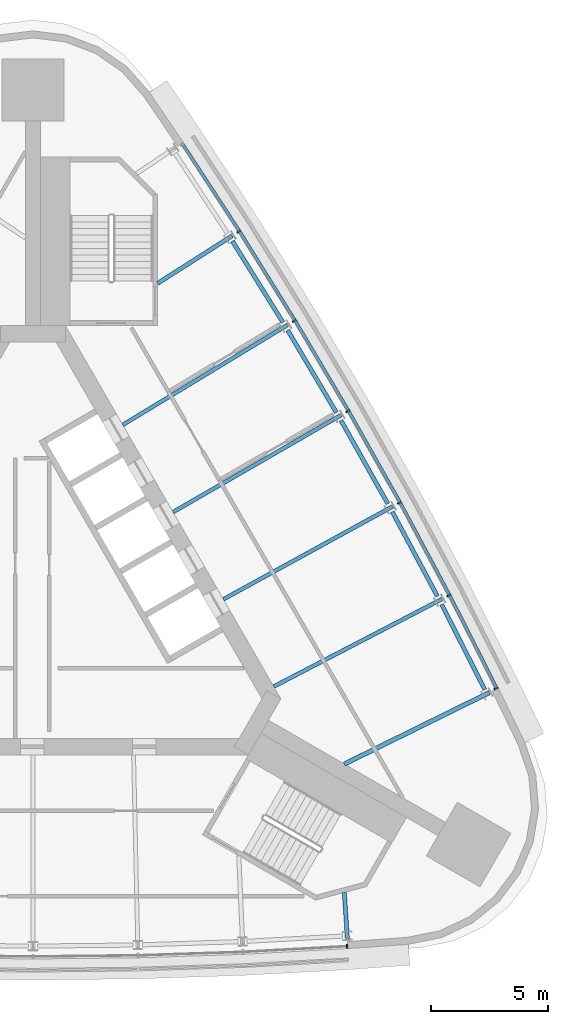
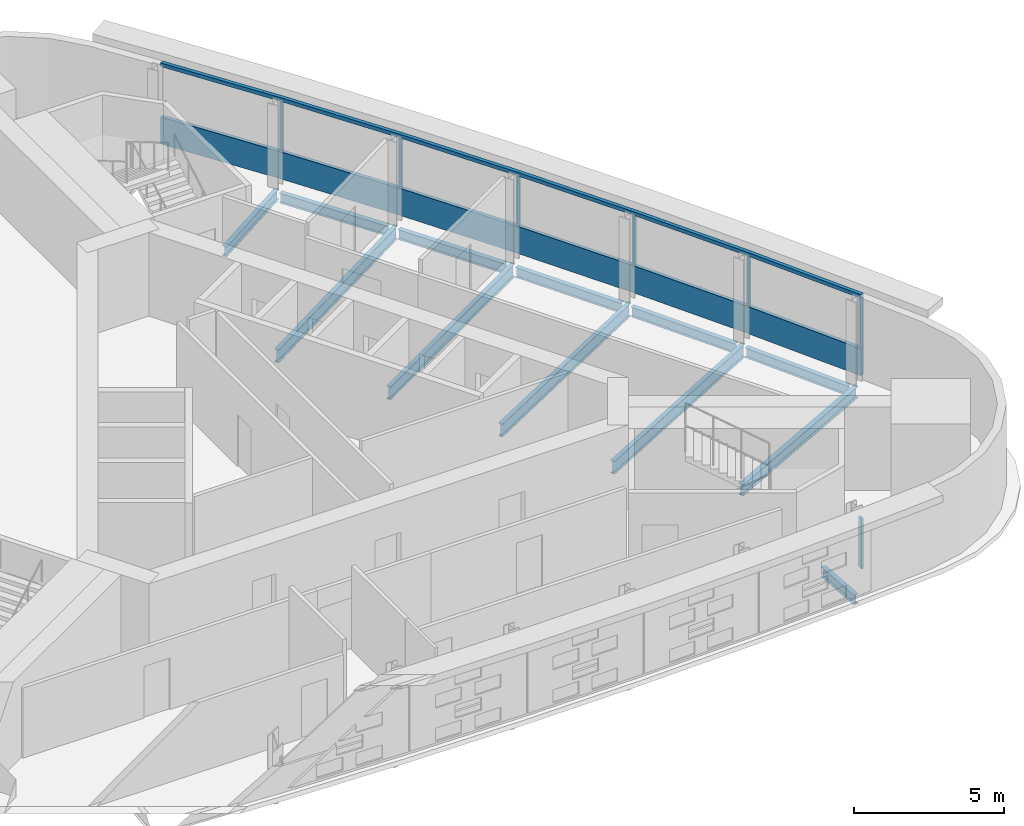
# One storey, part 4 of 11: 12 beams, 9 members, 2 elements without a shape of their own.
"""IFC4 building model written with IfcOpenShell, lengths in metres."""

from ifc_helpers import new_model, si_unit, direction, frame, origin, origin_2d, place, context, subcontext, project, spatial, polyline, rectangle, i_section, outline, extrude, material, material_profile, profile_set, type_object, element, aggregate, save


model = new_model("IFC4")

# Units and contexts
model_context = context("Model", 3, precision=1e-05, world=origin(), true_north=direction((0.0, 1.0)))
body_context = subcontext(model_context, "Body", "Model", "MODEL_VIEW")
ifc_project = project(units=[si_unit("LENGTHUNIT", "METRE"), si_unit("AREAUNIT", "SQUARE_METRE"), si_unit("VOLUMEUNIT", "CUBIC_METRE"), si_unit("PLANEANGLEUNIT", "RADIAN"), si_unit("MASSUNIT", "GRAM", prefix="KILO")], contexts=[model_context])

# Site, building, storey
site_placement = place(None, origin())
site = spatial("IfcSite", under=ifc_project, at=site_placement, CompositionType="ELEMENT")
building_placement = place(site_placement, origin())
building = spatial("IfcBuilding", under=site, at=building_placement, Name="Noor Cloister Tower", CompositionType="ELEMENT")
storey_placement = place(building_placement, frame((0.0, 0.0, 203.10009765625)))
storey = spatial("IfcBuildingStorey", under=building, at=storey_placement, Name="L52", CompositionType="ELEMENT", Elevation=203.10009765625)

# Curtain wall, member
ifc_material_1 = material(Name="Aluminium 6063-T6 anodised", Category="aluminium")
curtain_wall_type = type_object("IfcCurtainWallType", Name="Ribbon curtain wall, upper tower CW5", PredefinedType="NOTDEFINED", material=ifc_material_1)
curtain_wall_1_placement = place(storey_placement, origin())
curtain_wall_1 = element("IfcCurtainWall", 1, at=curtain_wall_1_placement, inside=storey, type_object=curtain_wall_type, Name="CW5 L52 NE run 3", PredefinedType="NOTDEFINED")
ifc_material_2 = material(Name="Aluminium 6063-T6 anodised", Category="aluminium")
member_type_1 = type_object("IfcMemberType", Name="Head transom CW5 150", PredefinedType="USERDEFINED", material=ifc_material_2)
member_1_placement = place(storey_placement, frame((0.0, 0.0, 3.14990234375)))
member_1 = element("IfcMember", 2, at=member_1_placement, type_object=member_type_1, Name="CW5 head transom", ObjectType="TRANSOM", PredefinedType="USERDEFINED", context=body_context, shape_type="SweptSolid", body=[
    extrude(outline(polyline([(19.92919921875, -4.071044921875), (17.895751953125, -0.056884765625), (15.775146484375, 3.912109375), (13.56787109375, 7.83349609375), (11.275390625, 11.70556640625), (8.898681640625, 15.526611328125), (6.43896484375, 19.294677734375), (6.32177734375, 19.21826171875), (8.78076171875, 15.451416015625), (11.15576171875, 11.633056640625), (13.446533203125, 7.763427734375), (15.65234375, 3.8447265625), (17.771728515625, -0.121337890625), (19.804443359375, -4.13427734375), (19.92919921875, -4.071044921875)])), origin(), (0.0, 0.0, 1.0), 0.14990234375),
])

curtain_wall_2_placement = place(storey_placement, origin())
curtain_wall_2 = element("IfcCurtainWall", 3, at=curtain_wall_2_placement, inside=storey, type_object=curtain_wall_type, Name="CW5 L52 S run 2", PredefinedType="NOTDEFINED")
ifc_material_3 = material(Name="Aluminium 6063-T6 anodised", Category="aluminium")
ifc_material_profile_1 = material_profile(ifc_material_3, rectangle(XDim=0.179931640625, YDim=0.070068359375, at=origin_2d()), Name="180 x 70 mullion")
ifc_profile_set_1 = profile_set([ifc_material_profile_1], Name="Aluminium 6063-T6 anodised")
member_type_2 = type_object("IfcMemberType", Name="Mullion CW5 70 x 180", PredefinedType="MULLION", material=ifc_profile_set_1)
member_2_placement = place(storey_placement, frame((13.449951171875, -15.125732421875, 1.099853515625), z_axis=(0.0, 0.0, 1.0), x_axis=(-0.054701304331, 0.998502762793, 0.0)))
member_2 = element("IfcMember", 4, at=member_2_placement, type_object=member_type_2, Name="CW5 mullion 7", PredefinedType="MULLION", context=body_context, shape_type="SweptSolid", body=[
    extrude(rectangle(XDim=0.179931640625, YDim=0.070068359375, at=origin_2d()), origin(), (0.0, 0.0, 1.0), 2.050048828125),
])
aggregate(curtain_wall_2, [member_2])

# Member
member_3_placement = place(storey_placement, frame((19.82421875, -4.0849609375, 1.099853515625), z_axis=(0.0, 0.0, 1.0), x_axis=(-0.892079410493, -0.451878662226, 0.0)))
member_3 = element("IfcMember", 5, at=member_3_placement, type_object=member_type_2, Name="CW5 mullion 1", PredefinedType="MULLION", context=body_context, shape_type="SweptSolid", body=[
    extrude(rectangle(XDim=0.179931640625, YDim=0.070068359375, at=origin_2d()), origin(), (0.0, 0.0, 1.0), 2.050048828125),
])

member_4_placement = place(storey_placement, frame((17.80712890625, -0.10302734375, 1.099853515625), z_axis=(0.0, 0.0, 1.0), x_axis=(-0.887079929457, -0.461615856264, 0.0)))
member_4 = element("IfcMember", 6, at=member_4_placement, type_object=member_type_2, Name="CW5 mullion 2", PredefinedType="MULLION", context=body_context, shape_type="SweptSolid", body=[
    extrude(rectangle(XDim=0.179931640625, YDim=0.070068359375, at=origin_2d()), origin(), (0.0, 0.0, 1.0), 2.050048828125),
])

member_5_placement = place(storey_placement, frame((15.687255859375, 3.864013671875, 1.099853515625), z_axis=(0.0, 0.0, 1.0), x_axis=(-0.876762750316, -0.480923153589, 0.0)))
member_5 = element("IfcMember", 7, at=member_5_placement, type_object=member_type_2, Name="CW5 mullion 3", PredefinedType="MULLION", context=body_context, shape_type="SweptSolid", body=[
    extrude(rectangle(XDim=0.179931640625, YDim=0.070068359375, at=origin_2d()), origin(), (0.0, 0.0, 1.0), 2.050048828125),
])

member_6_placement = place(storey_placement, frame((13.481201171875, 7.783447265625, 1.099853515625), z_axis=(0.0, 0.0, 1.0), x_axis=(-0.866025403784, -0.5, 0.0)))
member_6 = element("IfcMember", 8, at=member_6_placement, type_object=member_type_2, Name="CW5 mullion 4", PredefinedType="MULLION", context=body_context, shape_type="SweptSolid", body=[
    extrude(rectangle(XDim=0.179931640625, YDim=0.070068359375, at=origin_2d()), origin(), (0.0, 0.0, 1.0), 2.050048828125),
])

member_7_placement = place(storey_placement, frame((11.18994140625, 11.65380859375, 1.099853515625), z_axis=(0.0, 0.0, 1.0), x_axis=(-0.854873043434, -0.518837238071, 0.0)))
member_7 = element("IfcMember", 9, at=member_7_placement, type_object=member_type_2, Name="CW5 mullion 5", PredefinedType="MULLION", context=body_context, shape_type="SweptSolid", body=[
    extrude(rectangle(XDim=0.179931640625, YDim=0.070068359375, at=origin_2d()), origin(), (0.0, 0.0, 1.0), 2.050048828125),
])

member_8_placement = place(storey_placement, frame((8.814453125, 15.472900390625, 1.099853515625), z_axis=(0.0, 0.0, 1.0), x_axis=(-0.843311023043, -0.537425825965, 0.0)))
member_8 = element("IfcMember", 10, at=member_8_placement, type_object=member_type_2, Name="CW5 mullion 6", PredefinedType="MULLION", context=body_context, shape_type="SweptSolid", body=[
    extrude(rectangle(XDim=0.179931640625, YDim=0.070068359375, at=origin_2d()), origin(), (0.0, 0.0, 1.0), 2.050048828125),
])

# Beams
ifc_material_4 = material(Name="Steel ASTM A992 Gr 50", Category="steel")
ifc_material_profile_2 = material_profile(ifc_material_4, i_section(OverallWidth=0.177978515625, OverallDepth=0.406005859375, WebThickness=0.0078125, FlangeThickness=0.0126953125, FilletRadius=0.01025390625, at=origin_2d()), Name="W410x60")
ifc_profile_set_2 = profile_set([ifc_material_profile_2], Name="Steel ASTM A992 Gr 50")
beam_type_1 = type_object("IfcBeamType", Name="Radial beam W410x60", PredefinedType="BEAM", material=ifc_profile_set_2)
beam_1_placement = place(storey_placement, frame((13.461669921875, -14.78662109375, -0.403076171875), z_axis=(-0.065647557402, 0.997842872504, 0.0), x_axis=(-0.997842872504, -0.065647557402, 0.0)))
element("IfcBeam", 11, at=beam_1_placement, inside=storey, type_object=beam_type_1, Name="Radial beam S 07 L52", PredefinedType="BEAM", context=body_context, shape_type="SweptSolid", body=[
    extrude(i_section(OverallWidth=0.177978515625, OverallDepth=0.406005859375, WebThickness=0.0078125, FlangeThickness=0.0126953125, FilletRadius=0.01025390625, at=origin_2d()), origin(), (0.0, 0.0, 1.0), 1.970947265625),
])
beam_2_placement = place(storey_placement, frame((8.529296875, 15.291259765625, -0.403076171875), z_axis=(-0.843289653713, -0.537459356548, 0.0), x_axis=(0.537459356548, -0.843289653713, 0.0)))
element("IfcBeam", 12, at=beam_2_placement, inside=storey, type_object=beam_type_1, Name="Radial beam NE 06 L52", PredefinedType="BEAM", context=body_context, shape_type="SweptSolid", body=[
    extrude(i_section(OverallWidth=0.177978515625, OverallDepth=0.406005859375, WebThickness=0.0078125, FlangeThickness=0.0126953125, FilletRadius=0.01025390625, at=origin_2d()), origin(), (0.0, 0.0, 1.0), 3.787109375),
])
ifc_material_5 = material(Name="Steel ASTM A992 Gr 50", Category="steel")
ifc_material_profile_3 = material_profile(ifc_material_5, i_section(OverallWidth=0.19091796875, OverallDepth=0.45703125, WebThickness=0.009033203125, FlangeThickness=0.014404296875, FilletRadius=0.01025390625, at=origin_2d()), Name="W460x74")
ifc_profile_set_3 = profile_set([ifc_material_profile_3], Name="Steel ASTM A992 Gr 50")
beam_type_2 = type_object("IfcBeamType", Name="Radial beam W460x74", PredefinedType="BEAM", material=ifc_profile_set_3)
beam_3_placement = place(storey_placement, frame((19.536376953125, -4.2646484375, -0.4287109375), z_axis=(-0.896968292285, -0.442094879676, 0.0), x_axis=(0.442094879676, -0.896968292285, 0.0)))
element("IfcBeam", 13, at=beam_3_placement, inside=storey, type_object=beam_type_2, Name="Radial beam NE 01 L52", PredefinedType="BEAM", context=body_context, shape_type="SweptSolid", body=[
    extrude(i_section(OverallWidth=0.19091796875, OverallDepth=0.45703125, WebThickness=0.009033203125, FlangeThickness=0.014404296875, FilletRadius=0.01025390625, at=origin_2d()), origin(), (0.0, 0.0, 1.0), 6.916259765625),
])
ifc_material_6 = material(Name="Steel ASTM A992 Gr 50", Category="steel")
ifc_material_profile_4 = material_profile(ifc_material_6, i_section(OverallWidth=0.166015625, OverallDepth=0.528076171875, WebThickness=0.009765625, FlangeThickness=0.013671875, FilletRadius=0.0126953125, at=origin_2d()), Name="W530x74")
ifc_profile_set_4 = profile_set([ifc_material_profile_4], Name="Steel ASTM A992 Gr 50")
beam_type_3 = type_object("IfcBeamType", Name="Radial beam W530x74", PredefinedType="BEAM", material=ifc_profile_set_4)
beam_4_placement = place(storey_placement, frame((17.50732421875, -0.259033203125, -0.464111328125), z_axis=(-0.887074841572, -0.461625633441, 0.0), x_axis=(0.461625633441, -0.887074841572, 0.0)))
element("IfcBeam", 14, at=beam_4_placement, inside=storey, type_object=beam_type_3, Name="Radial beam NE 02 L52", PredefinedType="BEAM", context=body_context, shape_type="SweptSolid", body=[
    extrude(i_section(OverallWidth=0.166015625, OverallDepth=0.528076171875, WebThickness=0.009765625, FlangeThickness=0.013671875, FilletRadius=0.0126953125, at=origin_2d()), origin(), (0.0, 0.0, 1.0), 8.11181640625),
])
beam_5_placement = place(storey_placement, frame((15.39111328125, 3.701416015625, -0.464111328125), z_axis=(-0.876764933671, -0.480919173131, 0.0), x_axis=(0.480919173131, -0.876764933671, 0.0)))
element("IfcBeam", 15, at=beam_5_placement, inside=storey, type_object=beam_type_3, Name="Radial beam NE 03 L52", PredefinedType="BEAM", context=body_context, shape_type="SweptSolid", body=[
    extrude(i_section(OverallWidth=0.166015625, OverallDepth=0.528076171875, WebThickness=0.009765625, FlangeThickness=0.013671875, FilletRadius=0.0126953125, at=origin_2d()), origin(), (0.0, 0.0, 1.0), 8.25341796875),
])
beam_6_placement = place(storey_placement, frame((13.1884765625, 7.614501953125, -0.464111328125), z_axis=(-0.866019052629, -0.500011000363, 0.0), x_axis=(0.500011000363, -0.866019052629, 0.0)))
element("IfcBeam", 16, at=beam_6_placement, inside=storey, type_object=beam_type_3, Name="Radial beam NE 04 L52", PredefinedType="BEAM", context=body_context, shape_type="SweptSolid", body=[
    extrude(i_section(OverallWidth=0.166015625, OverallDepth=0.528076171875, WebThickness=0.009765625, FlangeThickness=0.013671875, FilletRadius=0.0126953125, at=origin_2d()), origin(), (0.0, 0.0, 1.0), 8.300537109375),
])
beam_7_placement = place(storey_placement, frame((10.90087890625, 11.478271484375, -0.464111328125), z_axis=(-0.854871861659, -0.518839185242, 0.0), x_axis=(0.518839185242, -0.854871861659, 0.0)))
element("IfcBeam", 17, at=beam_7_placement, inside=storey, type_object=beam_type_3, Name="Radial beam NE 05 L52", PredefinedType="BEAM", context=body_context, shape_type="SweptSolid", body=[
    extrude(i_section(OverallWidth=0.166015625, OverallDepth=0.528076171875, WebThickness=0.009765625, FlangeThickness=0.013671875, FilletRadius=0.0126953125, at=origin_2d()), origin(), (0.0, 0.0, 1.0), 8.25341796875),
])

# Member
ifc_material_7 = material(Name="Aluminium 6063-T6 anodised", Category="aluminium")
member_type_3 = type_object("IfcMemberType", Name="Sill transom CW5 1100", PredefinedType="USERDEFINED", material=ifc_material_7)
member_9_placement = place(storey_placement, origin())
member_9 = element("IfcMember", 18, at=member_9_placement, type_object=member_type_3, Name="CW5 sill transom", ObjectType="TRANSOM", PredefinedType="USERDEFINED", context=body_context, shape_type="SweptSolid", body=[
    extrude(outline(polyline([(19.92919921875, -4.071044921875), (17.895751953125, -0.056884765625), (15.775146484375, 3.912109375), (13.56787109375, 7.83349609375), (11.275390625, 11.70556640625), (8.898681640625, 15.526611328125), (6.43896484375, 19.294677734375), (6.32177734375, 19.21826171875), (8.78076171875, 15.451416015625), (11.15576171875, 11.633056640625), (13.446533203125, 7.763427734375), (15.65234375, 3.8447265625), (17.771728515625, -0.121337890625), (19.804443359375, -4.13427734375), (19.92919921875, -4.071044921875)])), origin(), (0.0, 0.0, 1.0), 1.099853515625),
])

aggregate(curtain_wall_1, [member_3, member_4, member_5, member_6, member_7, member_8, member_9, member_1])

# Beams
ifc_material_8 = material(Name="Steel ASTM A992 Gr 50", Category="steel")
ifc_material_profile_5 = material_profile(ifc_material_8, i_section(OverallWidth=0.177978515625, OverallDepth=0.406005859375, WebThickness=0.0078125, FlangeThickness=0.0126953125, FilletRadius=0.01025390625, at=origin_2d()), Name="W410x60")
ifc_profile_set_5 = profile_set([ifc_material_profile_5], Name="Steel ASTM A992 Gr 50")
beam_type_4 = type_object("IfcBeamType", Name="Spandrel beam W410x60", PredefinedType="SPANDREL", material=ifc_profile_set_5)
beam_8_placement = place(storey_placement, frame((19.346923828125, -4.138427734375, -0.403076171875), z_axis=(-0.451859126389, 0.892089306011, 0.0), x_axis=(-0.892089306011, -0.451859126389, 0.0)))
element("IfcBeam", 19, at=beam_8_placement, inside=storey, type_object=beam_type_4, Name="Spandrel beam NE 01 L52", PredefinedType="SPANDREL", context=body_context, shape_type="SweptSolid", body=[
    extrude(i_section(OverallWidth=0.177978515625, OverallDepth=0.406005859375, WebThickness=0.0078125, FlangeThickness=0.0126953125, FilletRadius=0.01025390625, at=origin_2d()), origin(), (0.0, 0.0, 1.0), 4.093994140625),
])
beam_9_placement = place(storey_placement, frame((17.315185546875, -0.136962890625, -0.403076171875), z_axis=(-0.471309290778, 0.881967999661, 0.0), x_axis=(-0.881967999661, -0.471309290778, 0.0)))
element("IfcBeam", 20, at=beam_9_placement, inside=storey, type_object=beam_type_4, Name="Spandrel beam NE 02 L52", PredefinedType="SPANDREL", context=body_context, shape_type="SweptSolid", body=[
    extrude(i_section(OverallWidth=0.177978515625, OverallDepth=0.406005859375, WebThickness=0.0078125, FlangeThickness=0.0126953125, FilletRadius=0.01025390625, at=origin_2d()), origin(), (0.0, 0.0, 1.0), 4.09375),
])
beam_10_placement = place(storey_placement, frame((15.1962890625, 3.819091796875, -0.403076171875), z_axis=(-0.490496221851, 0.871443317922, 0.0), x_axis=(-0.871443317922, -0.490496221851, 0.0)))
element("IfcBeam", 21, at=beam_10_placement, inside=storey, type_object=beam_type_4, Name="Spandrel beam NE 03 L52", PredefinedType="SPANDREL", context=body_context, shape_type="SweptSolid", body=[
    extrude(i_section(OverallWidth=0.177978515625, OverallDepth=0.406005859375, WebThickness=0.0078125, FlangeThickness=0.0126953125, FilletRadius=0.01025390625, at=origin_2d()), origin(), (0.0, 0.0, 1.0), 4.093994140625),
])
for number, where, z_axis, x_axis, name in (
    (22, (12.9912109375, 7.72802734375, -0.403076171875), (-0.509470509715, 0.860488117135, 0.0), (-0.860488117135, -0.509470509715, 0.0), "Spandrel beam NE 04 L52"),
    (23, (10.701171875, 11.58740234375, -0.403076171875), (-0.528137553782, 0.849158833367, 0.0), (-0.849158833367, -0.528137553782, 0.0), "Spandrel beam NE 05 L52"),
):
    element("IfcBeam", number, at=place(storey_placement, frame(where, z_axis=z_axis, x_axis=x_axis)), inside=storey, type_object=beam_type_4, Name=name, PredefinedType="SPANDREL", context=body_context, shape_type="SweptSolid", body=[
        extrude(i_section(OverallWidth=0.177978515625, OverallDepth=0.406005859375, WebThickness=0.0078125, FlangeThickness=0.0126953125, FilletRadius=0.01025390625, at=origin_2d()), origin(), (0.0, 0.0, 1.0), 4.09375),
    ])

save(model, "model.ifc")
